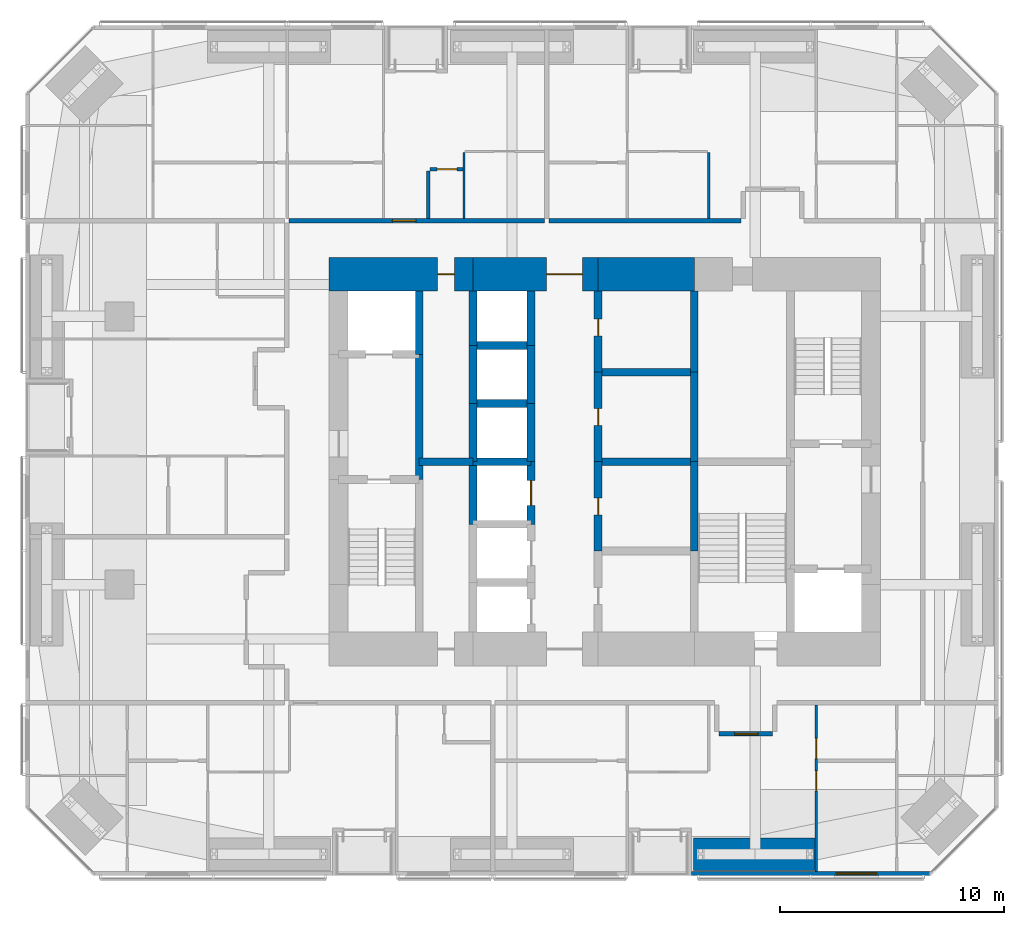
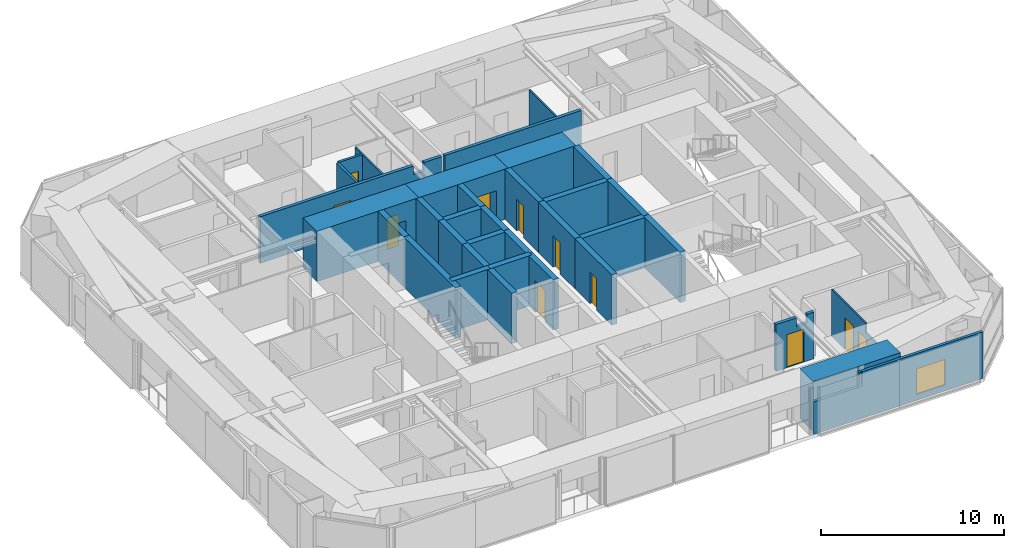
# One storey, part 20 of 24: 35 walls, 11 doors, 1 window, 12 openings.
"""IFC4 building model written with IfcOpenShell, lengths in metres."""

from ifc_helpers import new_model, si_unit, direction, frame, frame_2d, origin, place, context, subcontext, project, spatial, polyline, rectangle, outline, extrude, material, layer, layer_set, constituent, constituent_set, type_object, element, fill, save


model = new_model("IFC4")

# Units and contexts
model_context = context("Model", 3, precision=1e-05, world=origin(), true_north=direction((0.0, 1.0)))
body_context = subcontext(model_context, "Body", "Model", "MODEL_VIEW")
ifc_project = project(units=[si_unit("LENGTHUNIT", "METRE"), si_unit("AREAUNIT", "SQUARE_METRE"), si_unit("VOLUMEUNIT", "CUBIC_METRE"), si_unit("PLANEANGLEUNIT", "RADIAN"), si_unit("MASSUNIT", "GRAM", prefix="KILO")], contexts=[model_context])

# Site, building, storey
site_placement = place(None, origin())
site = spatial("IfcSite", under=ifc_project, at=site_placement, CompositionType="ELEMENT")
building_placement = place(site_placement, origin())
building = spatial("IfcBuilding", under=site, at=building_placement, Name="Jalousie Tower", CompositionType="ELEMENT")
storey_placement = place(building_placement, frame((0.0, 0.0, 128.300048828125)))
storey = spatial("IfcBuildingStorey", under=building, at=storey_placement, Name="L35", CompositionType="ELEMENT", Elevation=128.300048828125)

# Wall, opening, door
ifc_material_1 = material(Name="Concrete block ASTM C90", Category="concrete")
ifc_constituent_1 = constituent(ifc_material_1, Name="Body")
ifc_material_2 = material(Name="Render")
ifc_constituent_2 = constituent(ifc_material_2, Name="Finish")
ifc_constituent_set_1 = constituent_set(constituents=[ifc_constituent_1, ifc_constituent_2])
wall_type_1 = type_object("IfcWallType", Name="BATHROOM WALL 150", PredefinedType="PLUMBINGWALL", material=ifc_constituent_set_1)
wall_1_placement = place(storey_placement, frame((24.074951171875, 31.574951171875, 0.0), z_axis=(0.0, 0.0, 1.0), x_axis=(1.0, 0.0, 0.0)))
wall_1 = element("IfcWall", 1, at=wall_1_placement, inside=storey, type_object=wall_type_1, Name="Bathroom Wall 150 L35", PredefinedType="PLUMBINGWALL", context=body_context, shape_type="SweptSolid", body=[
    extrude(rectangle(XDim=1.47509765625, YDim=0.14990234375, at=frame_2d((0.737548828125, 0.0))), origin(), (0.0, 0.0, 1.0), 3.10986328125),
])
opening_1_placement = place(wall_1_placement, frame((0.324951171875, 0.0, 0.0)))
opening_1 = element("IfcOpeningElement", 2, at=opening_1_placement, cuts=wall_1, Name="Opening D7", PredefinedType="OPENING", context=body_context, shape_type="SweptSolid", body=[
    extrude(rectangle(XDim=0.89990234375, YDim=2.10009765625, at=frame_2d((0.449951171875, 1.050048828125))), frame((0.0, 0.0849609375, 0.0), z_axis=(0.0, -1.0, 0.0), x_axis=(1.0, 0.0, 0.0)), (0.0, 0.0, 1.0), 0.169921875),
])
ifc_material_3 = material(Name="Timber door", Category="wood")
door_type_1 = type_object("IfcDoorType", Name="INTERNAL DOOR 900", OperationType="SINGLE_SWING_LEFT", PredefinedType="DOOR", material=ifc_material_3)
door_1_placement = place(opening_1_placement, frame((0.89990234375, 0.0, 0.0), z_axis=(0.0, 0.0, 1.0), x_axis=(-1.0, 0.0, 0.0)))
door_1 = element("IfcDoor", 3, at=door_1_placement, inside=storey, type_object=door_type_1, Name="Apartment 3503 guest WC door", OperationType="SINGLE_SWING_LEFT", OverallHeight=2.10009765625, OverallWidth=0.89990234375, PredefinedType="DOOR", context=body_context, shape_type="SweptSolid", body=[
    extrude(rectangle(XDim=0.89990234375, YDim=2.10009765625, at=frame_2d((0.449951171875, 1.050048828125))), frame((0.0, 0.02490234375, 0.0), z_axis=(0.0, -1.0, 0.0), x_axis=(1.0, 0.0, 0.0)), (0.0, 0.0, 1.0), 0.050048828125),
])
fill(opening_1, door_1)

# Walls
wall_2_placement = place(storey_placement, frame((24.0, 31.5, 0.0), z_axis=(0.0, 0.0, 1.0), x_axis=(0.0, -1.0, 0.0)))
element("IfcWall", 4, at=wall_2_placement, inside=storey, type_object=wall_type_1, Name="Bathroom Wall 150 L35", PredefinedType="PLUMBINGWALL", context=body_context, shape_type="SweptSolid", body=[
    extrude(rectangle(XDim=2.125, YDim=0.14990234375, at=frame_2d((1.0625, 0.0))), origin(), (0.0, 0.0, 1.0), 3.10986328125),
])
ifc_material_4 = material(Name="Concrete f'c 120 MPa", Category="concrete")
ifc_layer_1 = layer(ifc_material_4, 1.5)
ifc_layer_set_1 = layer_set([ifc_layer_1], Name="Concrete f'c 120 MPa")
wall_type_2 = type_object("IfcWallType", Name="CORE WALL 1500", PredefinedType="SHEAR", material=ifc_layer_set_1)
wall_3_placement = place(storey_placement, frame((35.89990234375, 26.875, 0.0), z_axis=(0.0, 0.0, 1.0), x_axis=(-1.0, 0.0, 0.0)))
element("IfcWall", 5, at=wall_3_placement, inside=storey, type_object=wall_type_2, Name="Core wall NB L35", PredefinedType="SHEAR", context=body_context, shape_type="SweptSolid", body=[
    extrude(rectangle(XDim=4.2998046875, YDim=1.5, at=frame_2d((2.14990234375, 0.0))), origin(), (0.0, 0.0, 1.0), 3.349853515625),
])

# Wall, opening, door
wall_4_placement = place(storey_placement, frame((31.60009765625, 26.875, 0.0), z_axis=(0.0, 0.0, 1.0), x_axis=(-1.0, 0.0, 0.0)))
wall_4 = element("IfcWall", 6, at=wall_4_placement, inside=storey, type_object=wall_type_2, Name="Core wall NC L35", PredefinedType="SHEAR", context=body_context, shape_type="SweptSolid", body=[
    extrude(rectangle(XDim=5.60009765625, YDim=1.5, at=frame_2d((2.800048828125, 0.0))), origin(), (0.0, 0.0, 1.0), 3.349853515625),
])
opening_2_placement = place(wall_4_placement, frame((0.699951171875, 0.0, 0.0)))
opening_2 = element("IfcOpeningElement", 7, at=opening_2_placement, cuts=wall_4, Name="Opening D15", PredefinedType="OPENING", context=body_context, shape_type="SweptSolid", body=[
    extrude(rectangle(XDim=1.60009765625, YDim=2.10009765625, at=frame_2d((0.800048828125, 1.050048828125))), frame((0.0, 0.760009765625, 0.0), z_axis=(0.0, -1.0, 0.0), x_axis=(1.0, 0.0, 0.0)), (0.0, 0.0, 1.0), 1.52001953125),
])
ifc_material_5 = material(Name="Steel fire door", Category="steel")
door_type_2 = type_object("IfcDoorType", Name="LIFT LOBBY DOOR 1600", OperationType="DOUBLE_DOOR_SINGLE_SWING", PredefinedType="DOOR", material=ifc_material_5)
door_2_placement = place(opening_2_placement, origin())
door_2 = element("IfcDoor", 8, at=door_2_placement, inside=storey, type_object=door_type_2, Name="Lift lobby north door", OperationType="DOUBLE_DOOR_SINGLE_SWING", OverallHeight=2.10009765625, OverallWidth=1.60009765625, PredefinedType="DOOR", context=body_context, shape_type="SweptSolid", body=[
    extrude(rectangle(XDim=1.60009765625, YDim=2.10009765625, at=frame_2d((0.800048828125, 1.050048828125))), frame((0.0, 0.02490234375, 0.0), z_axis=(0.0, -1.0, 0.0), x_axis=(1.0, 0.0, 0.0)), (0.0, 0.0, 1.0), 0.050048828125),
])
fill(opening_2, door_2)

wall_5_placement = place(storey_placement, frame((26.0, 26.875, 0.0), z_axis=(0.0, 0.0, 1.0), x_axis=(-1.0, 0.0, 0.0)))
wall_5 = element("IfcWall", 9, at=wall_5_placement, inside=storey, type_object=wall_type_2, Name="Core wall ND L35", PredefinedType="SHEAR", context=body_context, shape_type="SweptSolid", body=[
    extrude(rectangle(XDim=6.425048828125, YDim=1.5, at=frame_2d((3.21240234375, 0.0))), origin(), (0.0, 0.0, 1.0), 3.349853515625),
])
opening_3_placement = place(wall_5_placement, frame((0.824951171875, 0.0, 0.0)))
opening_3 = element("IfcOpeningElement", 10, at=opening_3_placement, cuts=wall_5, Name="Opening D16", PredefinedType="OPENING", context=body_context, shape_type="SweptSolid", body=[
    extrude(rectangle(XDim=0.75, YDim=2.10009765625, at=frame_2d((0.375, 1.050048828125))), frame((0.0, 0.760009765625, 0.0), z_axis=(0.0, -1.0, 0.0), x_axis=(1.0, 0.0, 0.0)), (0.0, 0.0, 1.0), 1.52001953125),
])
ifc_material_6 = material(Name="Steel fire door", Category="steel")
door_type_3 = type_object("IfcDoorType", Name="RISER DOOR 750", OperationType="SINGLE_SWING_LEFT", PredefinedType="DOOR", material=ifc_material_6)
door_3_placement = place(opening_3_placement, origin())
door_3 = element("IfcDoor", 11, at=door_3_placement, inside=storey, type_object=door_type_3, Name="North riser door", OperationType="SINGLE_SWING_RIGHT", OverallHeight=2.10009765625, OverallWidth=0.75, PredefinedType="DOOR", context=body_context, shape_type="SweptSolid", body=[
    extrude(rectangle(XDim=0.75, YDim=2.10009765625, at=frame_2d((0.375, 1.050048828125))), frame((0.0, 0.02490234375, 0.0), z_axis=(0.0, -1.0, 0.0), x_axis=(1.0, 0.0, 0.0)), (0.0, 0.0, 1.0), 0.050048828125),
])
fill(opening_3, door_3)

# Walls
ifc_material_7 = material(Name="Concrete f'c 120 MPa", Category="concrete")
ifc_layer_2 = layer(ifc_material_7, 0.35009765625)
ifc_layer_set_2 = layer_set([ifc_layer_2], Name="Concrete f'c 120 MPa")
wall_type_3 = type_object("IfcWallType", Name="CORE WALL 350", PredefinedType="SHEAR", material=ifc_layer_set_2)
wall_6_placement = place(storey_placement, frame((23.60009765625, 17.699951171875, 0.0), z_axis=(0.0, 0.0, 1.0), x_axis=(0.0, 1.0, 0.0)))
element("IfcWall", 12, at=wall_6_placement, inside=storey, type_object=wall_type_3, Name="Core wall X23.6B L35", PredefinedType="SHEAR", context=body_context, shape_type="SweptSolid", body=[
    extrude(rectangle(XDim=5.60009765625, YDim=0.35009765625, at=frame_2d((2.800048828125, 0.0))), origin(), (0.0, 0.0, 1.0), 3.349853515625),
])
wall_7_placement = place(storey_placement, frame((23.60009765625, 23.300048828125, 0.0), z_axis=(0.0, 0.0, 1.0), x_axis=(0.0, 1.0, 0.0)))
element("IfcWall", 13, at=wall_7_placement, inside=storey, type_object=wall_type_3, Name="Core wall X23.6C L35", PredefinedType="SHEAR", context=body_context, shape_type="SweptSolid", body=[
    extrude(rectangle(XDim=2.824951171875, YDim=0.35009765625, at=frame_2d((1.41259765625, 0.0))), origin(), (0.0, 0.0, 1.0), 3.349853515625),
])
wall_8_placement = place(storey_placement, frame((26.0, 15.699951171875, 0.0), z_axis=(0.0, 0.0, 1.0), x_axis=(0.0, 1.0, 0.0)))
element("IfcWall", 14, at=wall_8_placement, inside=storey, type_object=wall_type_3, Name="Core wall X26C L35", PredefinedType="SHEAR", context=body_context, shape_type="SweptSolid", body=[
    extrude(rectangle(XDim=2.800048828125, YDim=0.35009765625, at=frame_2d((1.39990234375, 0.0))), origin(), (0.0, 0.0, 1.0), 3.349853515625),
])
wall_9_placement = place(storey_placement, frame((26.0, 18.5, 0.0), z_axis=(0.0, 0.0, 1.0), x_axis=(0.0, 1.0, 0.0)))
element("IfcWall", 15, at=wall_9_placement, inside=storey, type_object=wall_type_3, Name="Core wall X26D L35", PredefinedType="SHEAR", context=body_context, shape_type="SweptSolid", body=[
    extrude(rectangle(XDim=2.60009765625, YDim=0.35009765625, at=frame_2d((1.300048828125, 0.0))), origin(), (0.0, 0.0, 1.0), 3.349853515625),
])
wall_10_placement = place(storey_placement, frame((26.0, 21.10009765625, 0.0), z_axis=(0.0, 0.0, 1.0), x_axis=(0.0, 1.0, 0.0)))
element("IfcWall", 16, at=wall_10_placement, inside=storey, type_object=wall_type_3, Name="Core wall X26E L35", PredefinedType="SHEAR", context=body_context, shape_type="SweptSolid", body=[
    extrude(rectangle(XDim=2.599853515625, YDim=0.35009765625, at=frame_2d((1.2998046875, 0.0))), origin(), (0.0, 0.0, 1.0), 3.349853515625),
])
wall_11_placement = place(storey_placement, frame((26.0, 23.699951171875, 0.0), z_axis=(0.0, 0.0, 1.0), x_axis=(0.0, 1.0, 0.0)))
element("IfcWall", 17, at=wall_11_placement, inside=storey, type_object=wall_type_3, Name="Core wall X26F L35", PredefinedType="SHEAR", context=body_context, shape_type="SweptSolid", body=[
    extrude(rectangle(XDim=2.425048828125, YDim=0.35009765625, at=frame_2d((1.21240234375, 0.0))), origin(), (0.0, 0.0, 1.0), 3.349853515625),
])

# Wall, opening, door
wall_12_placement = place(storey_placement, frame((28.60009765625, 15.699951171875, 0.0), z_axis=(0.0, 0.0, 1.0), x_axis=(0.0, 1.0, 0.0)))
wall_12 = element("IfcWall", 18, at=wall_12_placement, inside=storey, type_object=wall_type_3, Name="Core wall X28.6C L35", PredefinedType="SHEAR", context=body_context, shape_type="SweptSolid", body=[
    extrude(rectangle(XDim=2.800048828125, YDim=0.35009765625, at=frame_2d((1.39990234375, 0.0))), origin(), (0.0, 0.0, 1.0), 3.349853515625),
])
opening_4_placement = place(wall_12_placement, frame((0.85009765625, 0.0, 0.0)))
opening_4 = element("IfcOpeningElement", 19, at=opening_4_placement, cuts=wall_12, Name="Opening LD1", PredefinedType="OPENING", context=body_context, shape_type="SweptSolid", body=[
    extrude(rectangle(XDim=1.10009765625, YDim=2.10009765625, at=frame_2d((0.550048828125, 1.050048828125))), frame((0.0, 0.18505859375, 0.0), z_axis=(0.0, -1.0, 0.0), x_axis=(1.0, 0.0, 0.0)), (0.0, 0.0, 1.0), 0.3701171875),
])
ifc_material_8 = material(Name="Steel lift landing door", Category="steel")
door_type_4 = type_object("IfcDoorType", Name="LIFT LANDING DOOR 1100", OperationType="SLIDING_TO_LEFT", PredefinedType="DOOR", material=ifc_material_8)
door_4_placement = place(opening_4_placement, origin())
door_4 = element("IfcDoor", 20, at=door_4_placement, inside=storey, type_object=door_type_4, Name="Lift P3 landing door", OperationType="SLIDING_TO_LEFT", OverallHeight=2.10009765625, OverallWidth=1.10009765625, PredefinedType="DOOR", context=body_context, shape_type="SweptSolid", body=[
    extrude(rectangle(XDim=1.10009765625, YDim=2.10009765625, at=frame_2d((0.550048828125, 1.050048828125))), frame((0.0, 0.02490234375, 0.0), z_axis=(0.0, -1.0, 0.0), x_axis=(1.0, 0.0, 0.0)), (0.0, 0.0, 1.0), 0.050048828125),
])
fill(opening_4, door_4)

# Walls
wall_13_placement = place(storey_placement, frame((28.60009765625, 18.5, 0.0), z_axis=(0.0, 0.0, 1.0), x_axis=(0.0, 1.0, 0.0)))
element("IfcWall", 21, at=wall_13_placement, inside=storey, type_object=wall_type_3, Name="Core wall X28.6D L35", PredefinedType="SHEAR", context=body_context, shape_type="SweptSolid", body=[
    extrude(rectangle(XDim=2.60009765625, YDim=0.35009765625, at=frame_2d((1.300048828125, 0.0))), origin(), (0.0, 0.0, 1.0), 3.349853515625),
])
wall_14_placement = place(storey_placement, frame((28.60009765625, 21.10009765625, 0.0), z_axis=(0.0, 0.0, 1.0), x_axis=(0.0, 1.0, 0.0)))
element("IfcWall", 22, at=wall_14_placement, inside=storey, type_object=wall_type_3, Name="Core wall X28.6E L35", PredefinedType="SHEAR", context=body_context, shape_type="SweptSolid", body=[
    extrude(rectangle(XDim=2.599853515625, YDim=0.35009765625, at=frame_2d((1.2998046875, 0.0))), origin(), (0.0, 0.0, 1.0), 3.349853515625),
])
wall_15_placement = place(storey_placement, frame((28.60009765625, 23.699951171875, 0.0), z_axis=(0.0, 0.0, 1.0), x_axis=(0.0, 1.0, 0.0)))
element("IfcWall", 23, at=wall_15_placement, inside=storey, type_object=wall_type_3, Name="Core wall X28.6F L35", PredefinedType="SHEAR", context=body_context, shape_type="SweptSolid", body=[
    extrude(rectangle(XDim=2.425048828125, YDim=0.35009765625, at=frame_2d((1.21240234375, 0.0))), origin(), (0.0, 0.0, 1.0), 3.349853515625),
])

# Wall, opening, door
wall_16_placement = place(storey_placement, frame((31.60009765625, 14.5, 0.0), z_axis=(0.0, 0.0, 1.0), x_axis=(0.0, 1.0, 0.0)))
wall_16 = element("IfcWall", 24, at=wall_16_placement, inside=storey, type_object=wall_type_3, Name="Core wall X31.6B L35", PredefinedType="SHEAR", context=body_context, shape_type="SweptSolid", body=[
    extrude(rectangle(XDim=4.0, YDim=0.35009765625, at=frame_2d((2.0, 0.0))), origin(), (0.0, 0.0, 1.0), 3.349853515625),
])
opening_5_placement = place(wall_16_placement, frame((1.625, 0.0, 0.0)))
opening_5 = element("IfcOpeningElement", 25, at=opening_5_placement, cuts=wall_16, Name="Opening D16", PredefinedType="OPENING", context=body_context, shape_type="SweptSolid", body=[
    extrude(rectangle(XDim=0.75, YDim=2.10009765625, at=frame_2d((0.375, 1.050048828125))), frame((0.0, 0.18505859375, 0.0), z_axis=(0.0, -1.0, 0.0), x_axis=(1.0, 0.0, 0.0)), (0.0, 0.0, 1.0), 0.3701171875),
])
door_5_placement = place(opening_5_placement, frame((0.75, 0.0, 0.0), z_axis=(0.0, 0.0, 1.0), x_axis=(-1.0, 0.0, 0.0)))
door_5 = element("IfcDoor", 26, at=door_5_placement, inside=storey, type_object=door_type_3, Name="Electrical Room door", OperationType="SINGLE_SWING_RIGHT", OverallHeight=2.10009765625, OverallWidth=0.75, PredefinedType="DOOR", context=body_context, shape_type="SweptSolid", body=[
    extrude(rectangle(XDim=0.75, YDim=2.10009765625, at=frame_2d((0.375, 1.050048828125))), frame((0.0, 0.02490234375, 0.0), z_axis=(0.0, -1.0, 0.0), x_axis=(1.0, 0.0, 0.0)), (0.0, 0.0, 1.0), 0.050048828125),
])
fill(opening_5, door_5)

wall_17_placement = place(storey_placement, frame((31.60009765625, 18.5, 0.0), z_axis=(0.0, 0.0, 1.0), x_axis=(0.0, 1.0, 0.0)))
wall_17 = element("IfcWall", 27, at=wall_17_placement, inside=storey, type_object=wall_type_3, Name="Core wall X31.6C L35", PredefinedType="SHEAR", context=body_context, shape_type="SweptSolid", body=[
    extrude(rectangle(XDim=4.0, YDim=0.35009765625, at=frame_2d((2.0, 0.0))), origin(), (0.0, 0.0, 1.0), 3.349853515625),
])
opening_6_placement = place(wall_17_placement, frame((1.625, 0.0, 0.0)))
opening_6 = element("IfcOpeningElement", 28, at=opening_6_placement, cuts=wall_17, Name="Opening D16", PredefinedType="OPENING", context=body_context, shape_type="SweptSolid", body=[
    extrude(rectangle(XDim=0.75, YDim=2.10009765625, at=frame_2d((0.375, 1.050048828125))), frame((0.0, 0.18505859375, 0.0), z_axis=(0.0, -1.0, 0.0), x_axis=(1.0, 0.0, 0.0)), (0.0, 0.0, 1.0), 0.3701171875),
])
door_6_placement = place(opening_6_placement, frame((0.75, 0.0, 0.0), z_axis=(0.0, 0.0, 1.0), x_axis=(-1.0, 0.0, 0.0)))
door_6 = element("IfcDoor", 29, at=door_6_placement, inside=storey, type_object=door_type_3, Name="Telecom Room door", OperationType="SINGLE_SWING_RIGHT", OverallHeight=2.10009765625, OverallWidth=0.75, PredefinedType="DOOR", context=body_context, shape_type="SweptSolid", body=[
    extrude(rectangle(XDim=0.75, YDim=2.10009765625, at=frame_2d((0.375, 1.050048828125))), frame((0.0, 0.02490234375, 0.0), z_axis=(0.0, -1.0, 0.0), x_axis=(1.0, 0.0, 0.0)), (0.0, 0.0, 1.0), 0.050048828125),
])
fill(opening_6, door_6)

wall_18_placement = place(storey_placement, frame((31.60009765625, 22.5, 0.0), z_axis=(0.0, 0.0, 1.0), x_axis=(0.0, 1.0, 0.0)))
wall_18 = element("IfcWall", 30, at=wall_18_placement, inside=storey, type_object=wall_type_3, Name="Core wall X31.6D L35", PredefinedType="SHEAR", context=body_context, shape_type="SweptSolid", body=[
    extrude(rectangle(XDim=3.625, YDim=0.35009765625, at=frame_2d((1.8125, 0.0))), origin(), (0.0, 0.0, 1.0), 3.349853515625),
])
opening_7_placement = place(wall_18_placement, frame((1.625, 0.0, 0.0)))
opening_7 = element("IfcOpeningElement", 31, at=opening_7_placement, cuts=wall_18, Name="Opening D16", PredefinedType="OPENING", context=body_context, shape_type="SweptSolid", body=[
    extrude(rectangle(XDim=0.75, YDim=2.10009765625, at=frame_2d((0.375, 1.050048828125))), frame((0.0, 0.18505859375, 0.0), z_axis=(0.0, -1.0, 0.0), x_axis=(1.0, 0.0, 0.0)), (0.0, 0.0, 1.0), 0.3701171875),
])
door_7_placement = place(opening_7_placement, frame((0.75, 0.0, 0.0), z_axis=(0.0, 0.0, 1.0), x_axis=(-1.0, 0.0, 0.0)))
door_7 = element("IfcDoor", 32, at=door_7_placement, inside=storey, type_object=door_type_3, Name="Water Services Room door", OperationType="SINGLE_SWING_LEFT", OverallHeight=2.10009765625, OverallWidth=0.75, PredefinedType="DOOR", context=body_context, shape_type="SweptSolid", body=[
    extrude(rectangle(XDim=0.75, YDim=2.10009765625, at=frame_2d((0.375, 1.050048828125))), frame((0.0, 0.02490234375, 0.0), z_axis=(0.0, -1.0, 0.0), x_axis=(1.0, 0.0, 0.0)), (0.0, 0.0, 1.0), 0.050048828125),
])
fill(opening_7, door_7)

# Walls
for number, where, z_axis, x_axis, name in (
    (33, (35.89990234375, 14.5, 0.0), (0.0, 0.0, 1.0), (0.0, 1.0, 0.0), "Core wall X35.9B L35"),
    (34, (35.89990234375, 18.5, 0.0), (0.0, 0.0, 1.0), (0.0, 1.0, 0.0), "Core wall X35.9C L35"),
):
    element("IfcWall", number, at=place(storey_placement, frame(where, z_axis=z_axis, x_axis=x_axis)), inside=storey, type_object=wall_type_3, Name=name, PredefinedType="SHEAR", context=body_context, shape_type="SweptSolid", body=[
        extrude(rectangle(XDim=4.0, YDim=0.35009765625, at=frame_2d((2.0, 0.0))), origin(), (0.0, 0.0, 1.0), 3.349853515625),
    ])
wall_19_placement = place(storey_placement, frame((35.89990234375, 22.5, 0.0), z_axis=(0.0, 0.0, 1.0), x_axis=(0.0, 1.0, 0.0)))
element("IfcWall", 35, at=wall_19_placement, inside=storey, type_object=wall_type_3, Name="Core wall X35.9D L35", PredefinedType="SHEAR", context=body_context, shape_type="SweptSolid", body=[
    extrude(rectangle(XDim=3.625, YDim=0.35009765625, at=frame_2d((1.8125, 0.0))), origin(), (0.0, 0.0, 1.0), 3.349853515625),
])
wall_20_placement = place(storey_placement, frame((23.60009765625, 18.5, 0.0), z_axis=(0.0, 0.0, 1.0), x_axis=(1.0, 0.0, 0.0)))
element("IfcWall", 36, at=wall_20_placement, inside=storey, type_object=wall_type_3, Name="Core wall Y23.6-18.5 L35", PredefinedType="SHEAR", context=body_context, shape_type="SweptSolid", body=[
    extrude(rectangle(XDim=2.39990234375, YDim=0.35009765625, at=frame_2d((1.199951171875, 0.0))), origin(), (0.0, 0.0, 1.0), 3.349853515625),
])
for number, where, z_axis, x_axis, name in (
    (37, (26.0, 18.5, 0.0), (0.0, 0.0, 1.0), (1.0, 0.0, 0.0), "Core wall Y26-18.5 L35"),
    (38, (26.0, 21.10009765625, 0.0), (0.0, 0.0, 1.0), (1.0, 0.0, 0.0), "Core wall Y26-21.1 L35"),
    (39, (26.0, 23.699951171875, 0.0), (0.0, 0.0, 1.0), (1.0, 0.0, 0.0), "Core wall Y26-23.7 L35"),
):
    element("IfcWall", number, at=place(storey_placement, frame(where, z_axis=z_axis, x_axis=x_axis)), inside=storey, type_object=wall_type_3, Name=name, PredefinedType="SHEAR", context=body_context, shape_type="SweptSolid", body=[
        extrude(rectangle(XDim=2.60009765625, YDim=0.35009765625, at=frame_2d((1.300048828125, 0.0))), origin(), (0.0, 0.0, 1.0), 3.349853515625),
    ])
for number, where, z_axis, x_axis, name in (
    (40, (31.60009765625, 18.5, 0.0), (0.0, 0.0, 1.0), (1.0, 0.0, 0.0), "Core wall Y31.6-18.5 L35"),
    (41, (31.60009765625, 22.5, 0.0), (0.0, 0.0, 1.0), (1.0, 0.0, 0.0), "Core wall Y31.6-22.5 L35"),
):
    element("IfcWall", number, at=place(storey_placement, frame(where, z_axis=z_axis, x_axis=x_axis)), inside=storey, type_object=wall_type_3, Name=name, PredefinedType="SHEAR", context=body_context, shape_type="SweptSolid", body=[
        extrude(rectangle(XDim=4.2998046875, YDim=0.35009765625, at=frame_2d((2.14990234375, 0.0))), origin(), (0.0, 0.0, 1.0), 3.349853515625),
    ])

# Wall, opening, door
ifc_material_9 = material(Name="Concrete block ASTM C90", Category="concrete")
ifc_constituent_3 = constituent(ifc_material_9, Name="Body")
ifc_material_10 = material(Name="Render")
ifc_constituent_4 = constituent(ifc_material_10, Name="Finish")
ifc_constituent_set_2 = constituent_set(constituents=[ifc_constituent_3, ifc_constituent_4])
wall_type_4 = type_object("IfcWallType", Name="CORRIDOR WALL 200", PredefinedType="PARTITIONING", material=ifc_constituent_set_2)
wall_21_placement = place(storey_placement, frame((17.77490234375, 29.27490234375, 0.0), z_axis=(0.0, 0.0, 1.0), x_axis=(1.0, 0.0, 0.0)))
wall_21 = element("IfcWall", 42, at=wall_21_placement, inside=storey, type_object=wall_type_4, Name="Corridor Wall 200 L35", PredefinedType="PARTITIONING", context=body_context, shape_type="SweptSolid", body=[
    extrude(outline(polyline([(0.0, 0.0), (11.425048828125, 0.0), (11.425048828125, 3.10986328125), (10.312255859375, 3.10986328125), (10.312255859375, 2.541015625), (9.6376953125, 2.541015625), (9.6376953125, 3.10986328125), (0.0, 3.10986328125), (0.0, 0.0)])), frame((0.0, 0.10009765625, 0.0), z_axis=(0.0, -1.0, 0.0), x_axis=(1.0, 0.0, 0.0)), (0.0, 0.0, 1.0), 0.199951171875),
])
opening_8_placement = place(wall_21_placement, frame((4.625, 0.0, 0.0)))
opening_8 = element("IfcOpeningElement", 43, at=opening_8_placement, cuts=wall_21, Name="Opening D1", PredefinedType="OPENING", context=body_context, shape_type="SweptSolid", body=[
    extrude(rectangle(XDim=1.050048828125, YDim=2.199951171875, at=frame_2d((0.52490234375, 1.10009765625))), frame((0.0, 0.10986328125, 0.0), z_axis=(0.0, -1.0, 0.0), x_axis=(1.0, 0.0, 0.0)), (0.0, 0.0, 1.0), 0.219970703125),
])
ifc_material_11 = material(Name="Timber fire door", Category="wood")
door_type_5 = type_object("IfcDoorType", Name="APARTMENT ENTRANCE DOOR 1050", OperationType="SINGLE_SWING_LEFT", PredefinedType="DOOR", material=ifc_material_11)
door_8_placement = place(opening_8_placement, origin())
door_8 = element("IfcDoor", 44, at=door_8_placement, inside=storey, type_object=door_type_5, Name="Apartment 3503 entrance", OperationType="SINGLE_SWING_LEFT", OverallHeight=2.199951171875, OverallWidth=1.050048828125, PredefinedType="DOOR", context=body_context, shape_type="SweptSolid", body=[
    extrude(rectangle(XDim=1.050048828125, YDim=2.199951171875, at=frame_2d((0.52490234375, 1.10009765625))), frame((0.0, 0.02490234375, 0.0), z_axis=(0.0, -1.0, 0.0), x_axis=(1.0, 0.0, 0.0)), (0.0, 0.0, 1.0), 0.050048828125),
])
fill(opening_8, door_8)

# Wall
wall_22_placement = place(storey_placement, frame((29.39990234375, 29.27490234375, 0.0), z_axis=(0.0, 0.0, 1.0), x_axis=(1.0, 0.0, 0.0)))
element("IfcWall", 45, at=wall_22_placement, inside=storey, type_object=wall_type_4, Name="Corridor Wall 200 L35", PredefinedType="PARTITIONING", context=body_context, shape_type="SweptSolid", body=[
    extrude(rectangle(XDim=8.60009765625, YDim=0.199951171875, at=frame_2d((4.300048828125, 0.0))), origin(), (0.0, 0.0, 1.0), 3.10986328125),
])

# Wall, opening, door
wall_23_placement = place(storey_placement, frame((37.0, 6.324951171875, 0.0), z_axis=(0.0, 0.0, 1.0), x_axis=(1.0, 0.0, 0.0)))
wall_23 = element("IfcWall", 46, at=wall_23_placement, inside=storey, type_object=wall_type_4, Name="Corridor Wall 200 L35", PredefinedType="PARTITIONING", context=body_context, shape_type="SweptSolid", body=[
    extrude(outline(polyline([(0.0, 0.0), (2.39990234375, 0.0), (2.39990234375, 3.10986328125), (1.96240234375, 3.10986328125), (1.96240234375, 2.541015625), (1.28759765625, 2.541015625), (1.28759765625, 3.10986328125), (0.0, 3.10986328125), (0.0, 0.0)])), frame((0.0, 0.10009765625, 0.0), z_axis=(0.0, -1.0, 0.0), x_axis=(1.0, 0.0, 0.0)), (0.0, 0.0, 1.0), 0.199951171875),
])
opening_9_placement = place(wall_23_placement, frame((0.699951171875, 0.0, 0.0)))
opening_9 = element("IfcOpeningElement", 47, at=opening_9_placement, cuts=wall_23, Name="Opening D1", PredefinedType="OPENING", context=body_context, shape_type="SweptSolid", body=[
    extrude(rectangle(XDim=1.050048828125, YDim=2.199951171875, at=frame_2d((0.52490234375, 1.10009765625))), frame((0.0, 0.10986328125, 0.0), z_axis=(0.0, -1.0, 0.0), x_axis=(1.0, 0.0, 0.0)), (0.0, 0.0, 1.0), 0.219970703125),
])
door_9_placement = place(opening_9_placement, frame((1.050048828125, 0.0, 0.0), z_axis=(0.0, 0.0, 1.0), x_axis=(-1.0, 0.0, 0.0)))
door_9 = element("IfcDoor", 48, at=door_9_placement, inside=storey, type_object=door_type_5, Name="Apartment 3502 entrance", OperationType="SINGLE_SWING_RIGHT", OverallHeight=2.199951171875, OverallWidth=1.050048828125, PredefinedType="DOOR", context=body_context, shape_type="SweptSolid", body=[
    extrude(rectangle(XDim=1.050048828125, YDim=2.199951171875, at=frame_2d((0.52490234375, 1.10009765625))), frame((0.0, 0.02490234375, 0.0), z_axis=(0.0, -1.0, 0.0), x_axis=(1.0, 0.0, 0.0)), (0.0, 0.0, 1.0), 0.050048828125),
])
fill(opening_9, door_9)

# Wall, opening, window
ifc_material_12 = material(Name="Concrete f'c 40 MPa", Category="concrete")
ifc_constituent_5 = constituent(ifc_material_12, Name="Body")
ifc_material_13 = material(Name="Render, pastel sea green")
ifc_constituent_6 = constituent(ifc_material_13, Name="Finish")
ifc_constituent_set_3 = constituent_set(constituents=[ifc_constituent_5, ifc_constituent_6])
wall_type_5 = type_object("IfcWallType", Name="EXTERNAL WALL 175 SEA GREEN RENDER", PredefinedType="SOLIDWALL", material=ifc_constituent_set_3)
wall_24_placement = place(storey_placement, frame((35.77490234375, 0.08740234375, 0.0), z_axis=(0.0, 0.0, 1.0), x_axis=(1.0, 0.0, 0.0)))
wall_24 = element("IfcWall", 49, at=wall_24_placement, inside=storey, type_object=wall_type_5, Name="External Wall 175 Sea Green Render L35", PredefinedType="SOLIDWALL", context=body_context, shape_type="SweptSolid", body=[
    extrude(outline(polyline([(0.0, 0.0), (10.673828125, 0.0), (10.673583984375, 3.10986328125), (3.05322265625, 3.10986328125), (3.05322265625, 2.14990234375), (3.008056640625, 2.14990234375), (3.008056640625, 3.10986328125), (2.85009765625, 3.10986328125), (2.85009765625, 2.14990234375), (0.0, 2.14990234375), (0.0, 0.0)])), frame((0.0, 0.08740234375, 0.0), z_axis=(0.0, -1.0, 0.0), x_axis=(1.0, 0.0, 0.0)), (0.0, 0.0, 1.0), 0.175048828125),
])
opening_10_placement = place(wall_24_placement, frame((6.47509765625, 0.0, 0.39990234375)))
opening_10 = element("IfcOpeningElement", 50, at=opening_10_placement, cuts=wall_24, Name="Opening W-BED170", PredefinedType="OPENING", context=body_context, shape_type="SweptSolid", body=[
    extrude(rectangle(XDim=1.800048828125, YDim=1.699951171875, at=frame_2d((0.89990234375, 0.85009765625))), frame((0.0, 0.097412109375, 0.0), z_axis=(0.0, -1.0, 0.0), x_axis=(1.0, 0.0, 0.0)), (0.0, 0.0, 1.0), 0.195068359375),
])
ifc_material_14 = material(Name="Aluminium frame, impact-rated glazing", Category="aluminium")
window_type = type_object("IfcWindowType", Name="WINDOW BED 1800x1700", PartitioningType="SINGLE_PANEL", PredefinedType="WINDOW", material=ifc_material_14)
window_placement = place(opening_10_placement, origin())
window = element("IfcWindow", 51, at=window_placement, inside=storey, type_object=window_type, Name="Apartment 3502 bedroom 2 window", OverallHeight=1.699951171875, OverallWidth=1.800048828125, PartitioningType="SINGLE_PANEL", PredefinedType="WINDOW", context=body_context, shape_type="SweptSolid", body=[
    extrude(rectangle(XDim=1.800048828125, YDim=1.699951171875, at=frame_2d((0.89990234375, 0.85009765625))), frame((0.0, 0.030029296875, 0.0), z_axis=(0.0, -1.0, 0.0), x_axis=(1.0, 0.0, 0.0)), (0.0, 0.0, 1.0), 0.06005859375),
])
fill(opening_10, window)

# Wall, openings, doors
ifc_material_15 = material(Name="Gypsum board", Category="gypsum")
ifc_constituent_7 = constituent(ifc_material_15, Name="Body")
ifc_material_16 = material(Name="Light-gauge steel studs ASTM A653 SS Grade 33", Category="steel")
ifc_constituent_8 = constituent(ifc_material_16, Name="Framing")
ifc_constituent_set_4 = constituent_set(constituents=[ifc_constituent_7, ifc_constituent_8])
wall_type_6 = type_object("IfcWallType", Name="PARTITION 100", PredefinedType="PARTITIONING", material=ifc_constituent_set_4)
wall_25_placement = place(storey_placement, frame((41.35009765625, 0.175048828125, 0.0), z_axis=(0.0, 0.0, 1.0), x_axis=(0.0, 1.0, 0.0)))
wall_25 = element("IfcWall", 52, at=wall_25_placement, inside=storey, type_object=wall_type_6, Name="Partition 100 L35", PredefinedType="PARTITIONING", context=body_context, shape_type="SweptSolid", body=[
    extrude(outline(polyline([(0.0, 0.0), (7.449951171875, 0.0), (7.449951171875, 3.10986328125), (3.71630859375, 3.10986328125), (3.71630859375, 2.510009765625), (2.20849609375, 2.510009765625), (2.20849609375, 2.14990234375), (0.453125, 2.14990234375), (0.453125, 3.10986328125), (0.0, 3.10986328125), (0.0, 0.0)])), frame((0.0, 0.050048828125, 0.0), z_axis=(0.0, -1.0, 0.0), x_axis=(1.0, 0.0, 0.0)), (0.0, 0.0, 1.0), 0.10009765625),
])
opening_11_placement = place(wall_25_placement, frame((3.60009765625, 0.0, 0.0)))
opening_11 = element("IfcOpeningElement", 53, at=opening_11_placement, cuts=wall_25, Name="Opening D2", PredefinedType="OPENING", context=body_context, shape_type="SweptSolid", body=[
    extrude(rectangle(XDim=0.89990234375, YDim=2.10009765625, at=frame_2d((0.449951171875, 1.050048828125))), frame((0.0, 0.06005859375, 0.0), z_axis=(0.0, -1.0, 0.0), x_axis=(1.0, 0.0, 0.0)), (0.0, 0.0, 1.0), 0.1201171875),
])
opening_12_placement = place(wall_25_placement, frame((5.050048828125, 0.0, 0.0)))
opening_12 = element("IfcOpeningElement", 54, at=opening_12_placement, cuts=wall_25, Name="Opening D7", PredefinedType="OPENING", context=body_context, shape_type="SweptSolid", body=[
    extrude(rectangle(XDim=0.89990234375, YDim=2.10009765625, at=frame_2d((0.449951171875, 1.050048828125))), frame((0.0, 0.06005859375, 0.0), z_axis=(0.0, -1.0, 0.0), x_axis=(1.0, 0.0, 0.0)), (0.0, 0.0, 1.0), 0.1201171875),
])
ifc_material_17 = material(Name="Timber door", Category="wood")
door_type_6 = type_object("IfcDoorType", Name="BEDROOM DOOR 900", OperationType="SINGLE_SWING_LEFT", PredefinedType="DOOR", material=ifc_material_17)
door_10_placement = place(opening_11_placement, frame((0.89990234375, 0.0, 0.0), z_axis=(0.0, 0.0, 1.0), x_axis=(-1.0, 0.0, 0.0)))
door_10 = element("IfcDoor", 55, at=door_10_placement, inside=storey, type_object=door_type_6, Name="Apartment 3502 bedroom 2 door", OperationType="SINGLE_SWING_LEFT", OverallHeight=2.10009765625, OverallWidth=0.89990234375, PredefinedType="DOOR", context=body_context, shape_type="SweptSolid", body=[
    extrude(rectangle(XDim=0.89990234375, YDim=2.10009765625, at=frame_2d((0.449951171875, 1.050048828125))), frame((0.0, 0.02490234375, 0.0), z_axis=(0.0, -1.0, 0.0), x_axis=(1.0, 0.0, 0.0)), (0.0, 0.0, 1.0), 0.050048828125),
])
fill(opening_11, door_10)
door_11_placement = place(opening_12_placement, frame((0.89990234375, 0.0, 0.0), z_axis=(0.0, 0.0, 1.0), x_axis=(-1.0, 0.0, 0.0)))
door_11 = element("IfcDoor", 56, at=door_11_placement, inside=storey, type_object=door_type_1, Name="Apartment 3502 bathroom door", OperationType="SINGLE_SWING_RIGHT", OverallHeight=2.10009765625, OverallWidth=0.89990234375, PredefinedType="DOOR", context=body_context, shape_type="SweptSolid", body=[
    extrude(rectangle(XDim=0.89990234375, YDim=2.10009765625, at=frame_2d((0.449951171875, 1.050048828125))), frame((0.0, 0.02490234375, 0.0), z_axis=(0.0, -1.0, 0.0), x_axis=(1.0, 0.0, 0.0)), (0.0, 0.0, 1.0), 0.050048828125),
])
fill(opening_12, door_11)

# Walls
for number, where, z_axis, x_axis, name in (
    (57, (25.60009765625, 32.324951171875, 0.0), (0.0, 0.0, 1.0), (0.0, -1.0, 0.0), "Partition 100 L35"),
    (58, (36.550048828125, 32.324951171875, 0.0), (0.0, 0.0, 1.0), (0.0, -1.0, 0.0), "Partition 100 L35"),
):
    element("IfcWall", number, at=place(storey_placement, frame(where, z_axis=z_axis, x_axis=x_axis)), inside=storey, type_object=wall_type_6, Name=name, PredefinedType="PARTITIONING", context=body_context, shape_type="SweptSolid", body=[
        extrude(rectangle(XDim=2.949951171875, YDim=0.10009765625, at=frame_2d((1.47509765625, 0.0))), origin(), (0.0, 0.0, 1.0), 3.10986328125),
    ])
ifc_material_18 = material(Name="Concrete f'c 120 MPa", Category="concrete")
ifc_layer_3 = layer(ifc_material_18, 1.449951171875)
ifc_layer_set_3 = layer_set([ifc_layer_3], Name="Concrete f'c 120 MPa")
wall_type_7 = type_object("IfcWallType", Name="RC WALL PIER 1450", PredefinedType="SHEAR", material=ifc_layer_set_3)
wall_26_placement = place(storey_placement, frame((35.875, 0.949951171875, 0.0), z_axis=(0.0, 0.0, 1.0), x_axis=(1.0, 0.0, 0.0)))
element("IfcWall", 59, at=wall_26_placement, inside=storey, type_object=wall_type_7, Name="Wall pier 04 L35", PredefinedType="SHEAR", context=body_context, shape_type="SweptSolid", body=[
    extrude(rectangle(XDim=5.5, YDim=1.449951171875, at=frame_2d((2.75, 0.0))), origin(), (0.0, 0.0, 1.0), 3.349853515625),
])

save(model, "model.ifc")
